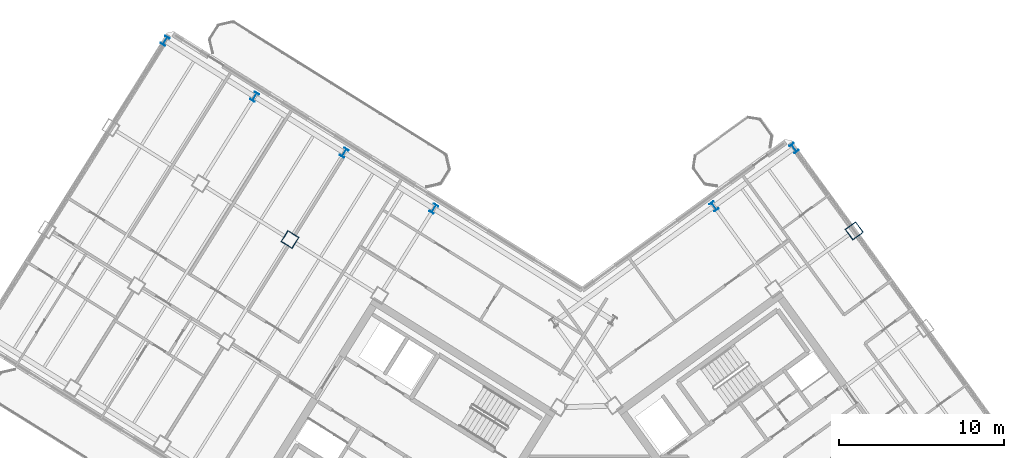
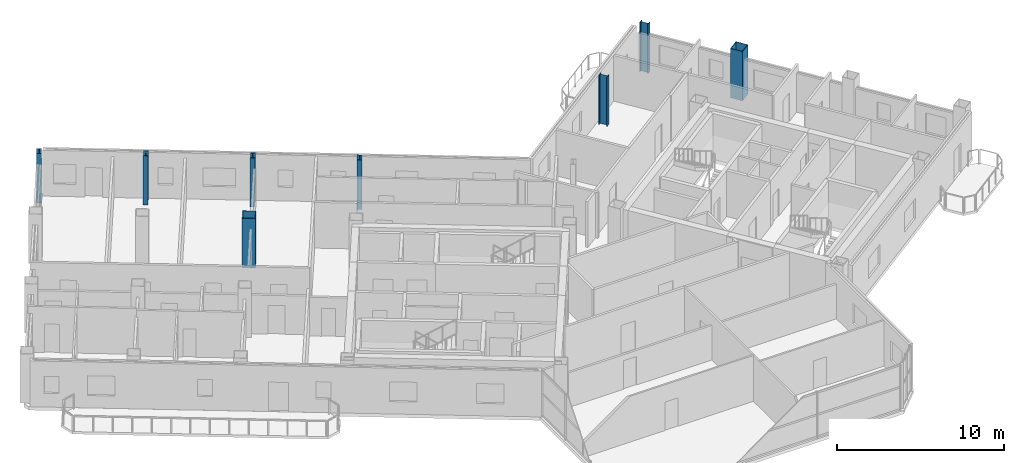
# One storey, part 3 of 21: 8 columns.
"""IFC4 building model written with IfcOpenShell, lengths in metres."""

import ifcopenshell
import ifcopenshell.guid

model = None  # the IFC model being written
_history = None  # IfcOwnerHistory: only IFC2X3 demands one
_inside = {}  # id of a spatial element -> (the spatial element, [elements in it])
_under = {}  # id of a project, library or spatial element -> (it, [spatial elements below it])
_declared = {}  # id of a project -> (the project, [libraries it declares])
_typed = {}  # id of a type object -> (the type object, [elements of that type])
_made_of = {}  # id of a material, layer set ... -> (it, [elements and type objects made of it])


def new_model(schema):
    """Start an empty IFC model of exactly this schema.

    Asked for "IFC4X3", IfcOpenShell would pick the latest addendum, in which some entities
    have other attributes; the version numbers below select the first issue.
    IFC2X3 requires an IfcOwnerHistory on every rooted entity: one is made here for all.
    """
    global model, _history
    if schema == "IFC4X3":
        model = ifcopenshell.file(schema_version=(4, 3, 0, 0))
    else:
        model = ifcopenshell.file(schema=schema)
    _inside.clear()
    _under.clear()
    _declared.clear()
    _typed.clear()
    _made_of.clear()
    _history = None
    if model.schema == "IFC2X3":
        org = make("IfcOrganization", Name="unknown")
        user = make(
            "IfcPersonAndOrganization",
            ThePerson=make("IfcPerson", FamilyName="unknown"),
            TheOrganization=org,
        )
        app = make(
            "IfcApplication",
            ApplicationDeveloper=org,
            Version="unknown",
            ApplicationFullName="unknown",
            ApplicationIdentifier="unknown",
        )
        _history = make(
            "IfcOwnerHistory",
            OwningUser=user,
            OwningApplication=app,
            ChangeAction="ADDED",
            CreationDate=0,
        )
    return model


def make(cls, **values):
    """One entity of the class cls with the attributes given. An attribute that is None is left unset."""
    return model.create_entity(
        cls, **{name: value for name, value in values.items() if value is not None}
    )


def rooted(cls, **values):
    """An entity with a GlobalId (a new one), such as an element, a storey or a relation."""
    return make(cls, GlobalId=ifcopenshell.guid.new(), OwnerHistory=_history, **values)


def si_unit(unit_type, name, prefix=None):
    """IfcSIUnit, for example si_unit("LENGTHUNIT", "METRE", prefix="MILLI")."""
    return make("IfcSIUnit", UnitType=unit_type, Prefix=prefix, Name=name)


def assignment(units):
    """IfcUnitAssignment: the units of a project."""
    return None if units is None else make("IfcUnitAssignment", Units=units)


def point(xyz):
    """IfcCartesianPoint."""
    return None if xyz is None else make("IfcCartesianPoint", Coordinates=xyz)


def direction(xyz):
    """IfcDirection."""
    return None if xyz is None else make("IfcDirection", DirectionRatios=xyz)


def frame(location, z_axis=None, x_axis=None):
    """IfcAxis2Placement3D, a coordinate frame: its origin and axes. An axis left out is left unset."""
    return make(
        "IfcAxis2Placement3D",
        Location=point(location),
        Axis=direction(z_axis),
        RefDirection=direction(x_axis),
    )


def frame_2d(location, x_axis=None):
    """IfcAxis2Placement2D, a coordinate frame in the plane: its origin and x axis."""
    return make(
        "IfcAxis2Placement2D", Location=point(location), RefDirection=direction(x_axis)
    )


def origin():
    """The frame at (0, 0, 0) with its axes left unset."""
    return frame((0.0, 0.0, 0.0))


def origin_2d():
    """The frame at (0, 0) in the plane with its x axis left unset."""
    return frame_2d((0.0, 0.0))


def place(relative_to, where):
    """IfcLocalPlacement: puts the frame where relative to a parent placement (None: the world)."""
    return make(
        "IfcLocalPlacement", PlacementRelTo=relative_to, RelativePlacement=where
    )


def context(
    kind, dimensions, precision=None, world=None, true_north=None, identifier=None
):
    """IfcGeometricRepresentationContext, for example the 3D "Model" context."""
    return make(
        "IfcGeometricRepresentationContext",
        ContextIdentifier=identifier,
        ContextType=kind,
        CoordinateSpaceDimension=dimensions,
        Precision=precision,
        WorldCoordinateSystem=world,
        TrueNorth=true_north,
    )


def subcontext(parent, identifier, kind, view, scale=None):
    """IfcGeometricRepresentationSubContext, for example "Body" below "Model"."""
    return make(
        "IfcGeometricRepresentationSubContext",
        ContextIdentifier=identifier,
        ContextType=kind,
        ParentContext=parent,
        TargetScale=scale,
        TargetView=view,
    )


def project(units=None, contexts=None):
    """IfcProject with its units and contexts."""
    return rooted(
        "IfcProject",
        Name="project",
        RepresentationContexts=contexts,
        UnitsInContext=assignment(units),
    )


def spatial(cls, under=None, at=None, **own):
    """A site, building, storey or space (cls), placed at a placement, below another one or the project."""
    s = rooted(cls, ObjectPlacement=at, **own)
    if under is not None:
        _under.setdefault(under.id(), (under, []))[1].append(s)
    return s


def profile(cls, at=None, kind="AREA", **sizes):
    """A parametric profile (cls). Its sizes go by their IFC names, for example OverallWidth=200.0."""
    return make(cls, ProfileType=kind, Position=at, **sizes)


def hollow_rectangle(**sizes):
    """IfcRectangleHollowProfileDef."""
    return profile("IfcRectangleHollowProfileDef", **sizes)


def i_section(**sizes):
    """IfcIShapeProfileDef."""
    return profile("IfcIShapeProfileDef", **sizes)


def extrude(swept, where, along, depth):
    """IfcExtrudedAreaSolid: the profile swept, set in the frame where, extruded along a direction by depth."""
    return make(
        "IfcExtrudedAreaSolid",
        SweptArea=swept,
        Position=where,
        ExtrudedDirection=direction(along),
        Depth=depth,
    )


def shape(context_of_items, identifier, shape_type, items):
    """IfcShapeRepresentation: the items that make up one representation, for example the "Body"."""
    return make(
        "IfcShapeRepresentation",
        ContextOfItems=context_of_items,
        RepresentationIdentifier=identifier,
        RepresentationType=shape_type,
        Items=items,
    )


def source(mapping_origin, context_of_items, identifier, shape_type, items):
    """IfcRepresentationMap: a shape defined once, which mapped items show again and again."""
    return make(
        "IfcRepresentationMap",
        MappingOrigin=mapping_origin,
        MappedRepresentation=shape(context_of_items, identifier, shape_type, items),
    )


def transform(
    local_origin,
    x_axis=None,
    y_axis=None,
    z_axis=None,
    scale=None,
    scale2=None,
    scale3=None,
    uniform=True,
):
    """IfcCartesianTransformationOperator3D, or its non-uniform kind. x_axis, y_axis, z_axis: its Axis1, 2, 3."""
    if uniform:
        return make(
            "IfcCartesianTransformationOperator3D",
            Axis1=direction(x_axis),
            Axis2=direction(y_axis),
            LocalOrigin=point(local_origin),
            Scale=scale,
            Axis3=direction(z_axis),
        )
    return make(
        "IfcCartesianTransformationOperator3DnonUniform",
        Axis1=direction(x_axis),
        Axis2=direction(y_axis),
        LocalOrigin=point(local_origin),
        Scale=scale,
        Axis3=direction(z_axis),
        Scale2=scale2,
        Scale3=scale3,
    )


def mapped(mapping_source, mapping_target):
    """IfcMappedItem: shows the shape of a source again, moved by a transform."""
    return make(
        "IfcMappedItem", MappingSource=mapping_source, MappingTarget=mapping_target
    )


def material(Name=None, Category=None):
    """IfcMaterial."""
    return make("IfcMaterial", Name=Name, Category=Category)


def material_profile(
    of_material, cross_section, Name=None, Category=None, Priority=None
):
    """IfcMaterialProfile: a cross section and its material."""
    return make(
        "IfcMaterialProfile",
        Name=Name,
        Material=of_material,
        Profile=cross_section,
        Priority=Priority,
        Category=Category,
    )


def profile_set(profiles, Name=None, composite=None):
    """IfcMaterialProfileSet."""
    return make(
        "IfcMaterialProfileSet",
        Name=Name,
        MaterialProfiles=profiles,
        CompositeProfile=composite,
    )


def made_of(thing, what):
    """Note that an element or type object is made of a material, layer set ...; save() writes the relation."""
    if what is not None:
        _made_of.setdefault(what.id(), (what, []))[1].append(thing)
    return thing


def type_object(cls, material=None, **own):
    """A type object (cls), such as IfcWallType, which elements share."""
    return made_of(rooted(cls, **own), material)


def element(
    cls,
    number,
    at=None,
    inside=None,
    cuts=None,
    type_object=None,
    material=None,
    context=None,
    identifier="Body",
    shape_type=None,
    held_by="IfcProductDefinitionShape",
    body=None,
    shapes=None,
    **own,
):
    """One element of the class cls, such as IfcWall. Its Tag is "e" and its number.

    at: its placement. inside: the storey or other place that contains it. cuts: it is an
    opening in that element (IfcRelVoidsElement). A single representation is given by context,
    identifier, shape_type and body (its items); several are given by shapes. held_by: the class
    of the entity that holds the representations. save() writes the other relations.
    """
    e = rooted(cls, Tag="e%d" % number, ObjectPlacement=at, **own)
    if body is not None:
        shapes = [shape(context, identifier, shape_type, body)]
    if shapes is not None:
        e.Representation = make(held_by, Representations=shapes)
    if inside is not None:
        _inside.setdefault(inside.id(), (inside, []))[1].append(e)
    if cuts is not None:
        rooted(
            "IfcRelVoidsElement", RelatingBuildingElement=cuts, RelatedOpeningElement=e
        )
    if type_object is not None:
        _typed.setdefault(type_object.id(), (type_object, []))[1].append(e)
    return made_of(e, material)


def aggregate(whole, parts):
    """IfcRelAggregates: a whole, such as a stair, and the parts it consists of."""
    return rooted("IfcRelAggregates", RelatingObject=whole, RelatedObjects=parts)


def save(model, path):
    """Write the relations noted so far, then the file.

    IfcRelAggregates (storeys below a building ...), IfcRelContainedInSpatialStructure (elements
    in a storey), IfcRelDefinesByType, IfcRelAssociatesMaterial and IfcRelDeclares: one each for
    every whole, place, type object, material and project.
    """
    for whole, parts in _under.values():
        aggregate(whole, parts)
    for where, things in _inside.values():
        rooted(
            "IfcRelContainedInSpatialStructure",
            RelatedElements=things,
            RelatingStructure=where,
        )
    for kind, things in _typed.values():
        rooted("IfcRelDefinesByType", RelatedObjects=things, RelatingType=kind)
    for what, things in _made_of.values():
        rooted("IfcRelAssociatesMaterial", RelatedObjects=things, RelatingMaterial=what)
    for by, libraries in _declared.values():
        rooted("IfcRelDeclares", RelatingContext=by, RelatedDefinitions=libraries)
    model.write(path)


model = new_model("IFC4")

# Units and contexts
model_context = context("Model", 3, precision=1e-05, world=origin(), true_north=direction((0.0, 1.0)))
body_context = subcontext(model_context, "Body", "Model", "MODEL_VIEW")
ifc_project = project(units=[si_unit("LENGTHUNIT", "METRE"), si_unit("AREAUNIT", "SQUARE_METRE"), si_unit("VOLUMEUNIT", "CUBIC_METRE"), si_unit("PLANEANGLEUNIT", "RADIAN"), si_unit("MASSUNIT", "GRAM", prefix="KILO")], contexts=[model_context])

# Site, building, storey
site_placement = place(None, origin())
site = spatial("IfcSite", under=ifc_project, at=site_placement, CompositionType="ELEMENT")
building_placement = place(site_placement, origin())
building = spatial("IfcBuilding", under=site, at=building_placement, Name="Tlacorven Tower", CompositionType="ELEMENT")
storey_placement = place(building_placement, frame((0.0, 0.0, 207.60009765625)))
storey = spatial("IfcBuildingStorey", under=building, at=storey_placement, Name="L52", CompositionType="ELEMENT", Elevation=207.60009765625)

# Columns
ifc_material = material(Name="Steel S460M", Category="steel")
ifc_material_profile_1 = material_profile(ifc_material, i_section(OverallWidth=0.300048828125, OverallDepth=0.550048828125, WebThickness=0.014892578125, FlangeThickness=0.029052734375, at=origin_2d()), Name="HEB 550")
ifc_profile_set_1 = profile_set([ifc_material_profile_1], Name="Steel S460M")
column_type_1 = type_object("IfcColumnType", Name="COL-TWR-P2", PredefinedType="COLUMN", material=ifc_profile_set_1)
shared_shape_1 = source(origin(), body_context, "Body", "SweptSolid", [
    extrude(i_section(OverallWidth=0.300048828125, OverallDepth=0.550048828125, WebThickness=0.014892578125, FlangeThickness=0.029052734375, at=origin_2d()), origin(), (0.0, 0.0, 1.0), 3.599853515625),
])
for number, where, z_axis, x_axis, name in (
    (1, (33.21337890625, 36.50927734375, 0.0), (0.0, 0.0, 1.0), (-0.848048096156, 0.529919264233, 0.0), "L52 column COL-L52-W3-1"),
    (2, (27.785888671875, 39.900634765625, 0.0), (0.0, 0.0, 1.0), (-0.848048096156, 0.529919264233, 0.0), "L52 column COL-L52-W4-1"),
    (3, (22.3583984375, 43.292236328125, 0.0), (0.0, 0.0, 1.0), (-0.848048096156, 0.529919264233, 0.0), "L52 column COL-L52-W5-1"),
    (4, (16.930908203125, 46.68359375, 0.0), (0.0, 0.0, 1.0), (-0.848048096156, 0.529919264233, 0.0), "L52 column COL-L52-W6-1"),
    (5, (50.187744140625, 36.654296875, 0.0), (0.0, 0.0, 1.0), (0.809016994375, 0.587785252292, 0.0), "L52 column COL-L52-E3-4"),
    (6, (55.041748046875, 40.18115234375, 0.0), (0.0, 0.0, 1.0), (0.809016994375, 0.587785252292, 0.0), "L52 column COL-L52-E4-4"),
):
    element("IfcColumn", number, at=place(storey_placement, frame(where, z_axis=z_axis, x_axis=x_axis)), inside=storey, type_object=column_type_1, Name=name, PredefinedType="COLUMN", context=body_context, shape_type="MappedRepresentation", body=[
        mapped(shared_shape_1, transform((0.0, 0.0, 0.0), scale=1.0)),
    ])
ifc_material_profile_2 = material_profile(ifc_material, hollow_rectangle(XDim=0.800048828125, YDim=0.800048828125, WallThickness=0.031982421875, at=origin_2d()), Name="BOX 800X800X32")
ifc_profile_set_2 = profile_set([ifc_material_profile_2], Name="Steel S460M")
column_type_2 = type_object("IfcColumnType", Name="COL-TWR-S3", PredefinedType="COLUMN", material=ifc_profile_set_2)
shared_shape_2 = source(origin(), body_context, "Body", "SweptSolid", [
    extrude(hollow_rectangle(XDim=0.800048828125, YDim=0.800048828125, WallThickness=0.031982421875, at=origin_2d()), origin(), (0.0, 0.0, 1.0), 3.599853515625),
])
for number, where, z_axis, x_axis, name in (
    (7, (24.50048828125, 34.642822265625, 0.0), (0.0, 0.0, 1.0), (-0.848048096156, 0.529919264233, 0.0), "L52 column COL-L52-W4-2"),
    (8, (58.68603515625, 35.165283203125, 0.0), (0.0, 0.0, 1.0), (0.809016994375, 0.587785252292, 0.0), "L52 column COL-L52-E4-3"),
):
    element("IfcColumn", number, at=place(storey_placement, frame(where, z_axis=z_axis, x_axis=x_axis)), inside=storey, type_object=column_type_2, Name=name, PredefinedType="COLUMN", context=body_context, shape_type="MappedRepresentation", body=[
        mapped(shared_shape_2, transform((0.0, 0.0, 0.0), scale=1.0)),
    ])

save(model, "model.ifc")
